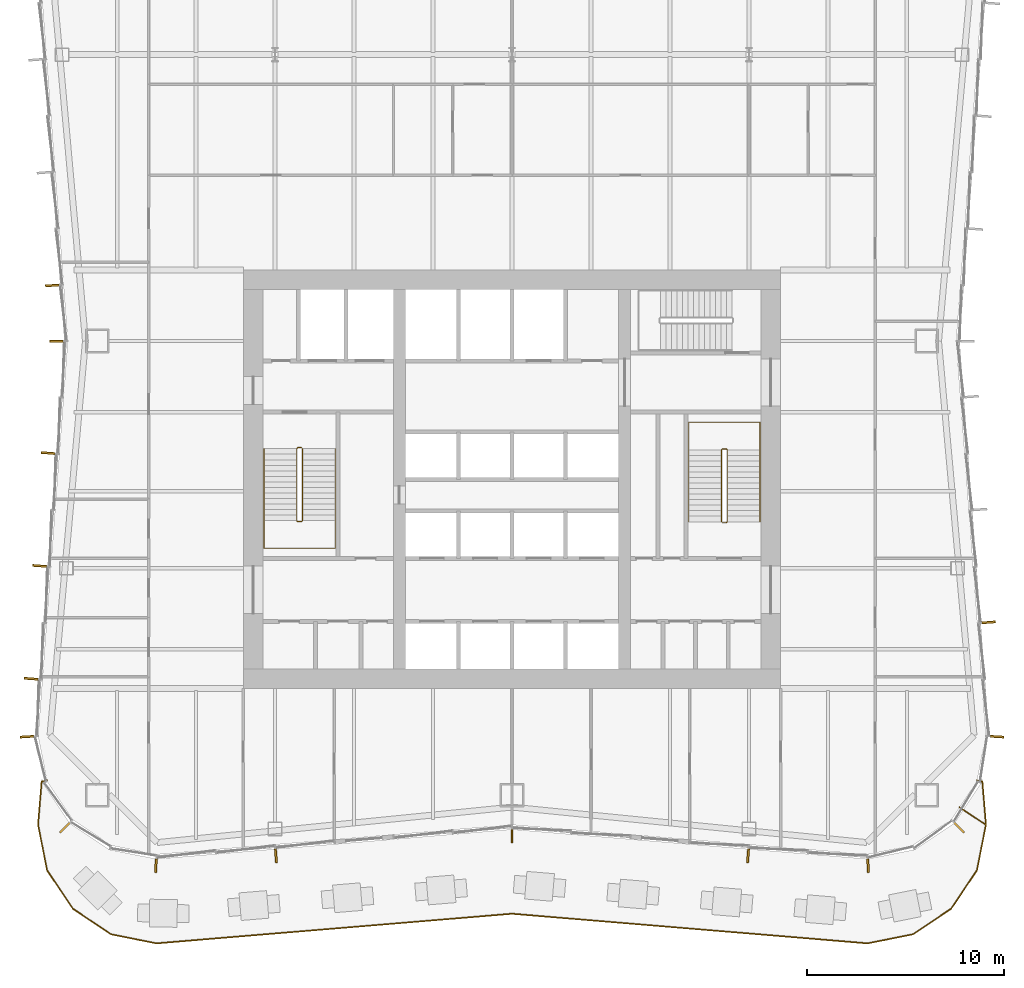
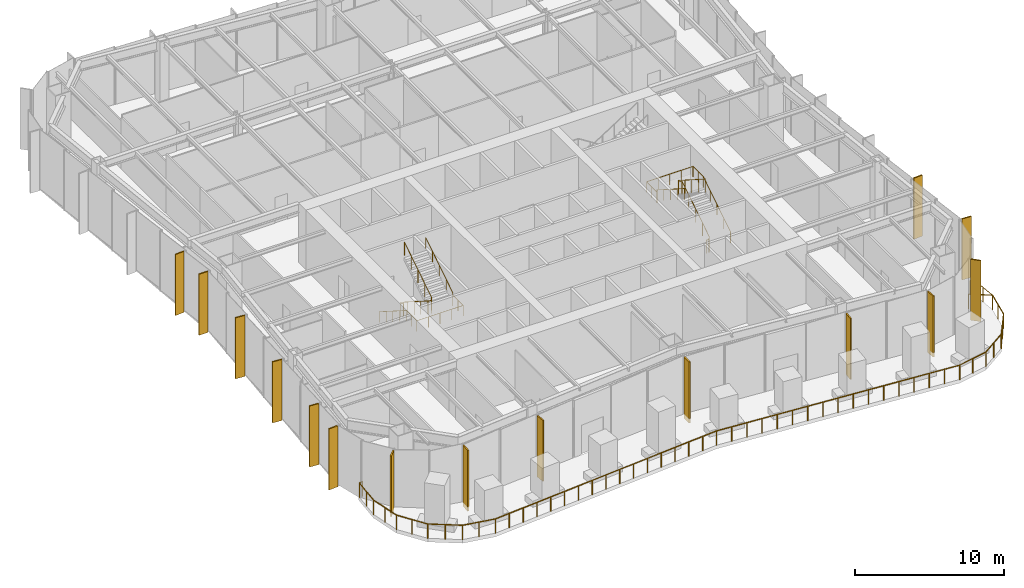
# One storey, part 13 of 15: 15 shading devices, 6 railings.
"""IFC4 building model written with IfcOpenShell, lengths in metres."""

from ifc_helpers import new_model, si_unit, direction, frame, origin, origin_2d, place, context, subcontext, project, spatial, rectangle, circle, extrude, material, layer, layer_set, type_object, element, save


model = new_model("IFC4")

# Units and contexts
model_context = context("Model", 3, precision=1e-05, world=origin(), true_north=direction((0.0, 1.0)))
body_context = subcontext(model_context, "Body", "Model", "MODEL_VIEW")
ifc_project = project(units=[si_unit("LENGTHUNIT", "METRE"), si_unit("AREAUNIT", "SQUARE_METRE"), si_unit("VOLUMEUNIT", "CUBIC_METRE"), si_unit("PLANEANGLEUNIT", "RADIAN"), si_unit("MASSUNIT", "GRAM", prefix="KILO")], contexts=[model_context])

# Site, building, storey
site_placement = place(None, origin())
site = spatial("IfcSite", under=ifc_project, at=site_placement, CompositionType="ELEMENT")
building_placement = place(site_placement, origin())
building = spatial("IfcBuilding", under=site, at=building_placement, Name="Verdant Reach Tower", CompositionType="ELEMENT")
storey_placement = place(building_placement, frame((0.0, 0.0, 121.0)))
storey = spatial("IfcBuildingStorey", under=building, at=storey_placement, Name="L27", CompositionType="ELEMENT", Elevation=121.0)

# Railings
ifc_material_1 = material(Name="Stainless steel", Category="steel")
railing_type_1 = type_object("IfcRailingType", Name="CO-GUARD", PredefinedType="GUARDRAIL", material=ifc_material_1)
railing_1_placement = place(storey_placement, frame((-10.64990234375, 29.60009765625, 0.0)))
element("IfcRailing", 1, at=railing_1_placement, inside=storey, type_object=railing_type_1, Name="L27 ST-1 stair guard 1", PredefinedType="GUARDRAIL", context=body_context, shape_type="SweptSolid", body=[
    extrude(circle(Radius=0.02392578125, at=origin_2d()), frame((0.0, 0.0, 1.076171875), z_axis=(-1.0, 0.0, 0.0), x_axis=(0.0, -1.0, 0.0)), (0.0, 0.0, 1.0), 0.2001953125),
    extrude(circle(Radius=0.02392578125, at=origin_2d()), frame((-0.2001953125, 0.0, 1.076171875), z_axis=(-0.25949872427, -0.26077077684, 0.929870428634), x_axis=(0.708833529934, -0.705375805398, 0.0)), (0.0, 0.0, 1.0), 0.19189453125),
    extrude(circle(Radius=0.02392578125, at=origin_2d()), frame((-0.25, -0.050048828125, 1.25439453125), z_axis=(0.0, -0.843127859045, 0.537713132908), x_axis=(1.0, 0.0, 0.0)), (0.0, 0.0, 1.0), 4.3173828125),
    extrude(circle(Radius=0.02392578125, at=origin_2d()), frame((-0.25, -3.690185546875, 3.576171875), z_axis=(0.707106781187, -0.707106781187, 0.0), x_axis=(0.707106781187, 0.707106781187, 0.0)), (0.0, 0.0, 1.0), 0.0703125),
    extrude(circle(Radius=0.02392578125, at=origin_2d()), frame((-0.2001953125, -3.739990234375, 3.576171875), z_axis=(1.0, 0.0, 0.0), x_axis=(0.0, 1.0, 0.0)), (0.0, 0.0, 1.0), 0.2001953125),
    extrude(circle(Radius=0.02392578125, at=origin_2d()), frame((0.0, -3.739990234375, 3.576171875), z_axis=(0.259584636361, 0.259584636361, 0.930178280294), x_axis=(-0.707106781187, 0.707106781187, 0.0)), (0.0, 0.0, 1.0), 0.19189453125),
    extrude(circle(Radius=0.02392578125, at=origin_2d()), frame((0.0498046875, -3.690185546875, 3.75439453125), z_axis=(0.0, 0.843127859045, 0.537713132908), x_axis=(-1.0, 0.0, 0.0)), (0.0, 0.0, 1.0), 4.3173828125),
    extrude(circle(Radius=0.02099609375, at=origin_2d()), origin(), (0.0, 0.0, 1.0), 1.052001953125),
    extrude(circle(Radius=0.02099609375, at=origin_2d()), frame((-0.2001953125, 0.0, 0.0)), (0.0, 0.0, 1.0), 1.052001953125),
    extrude(circle(Radius=0.02099609375, at=origin_2d()), frame((-0.25, -0.050048828125, 0.178466796875)), (0.0, 0.0, 1.0), 1.052001953125),
    extrude(circle(Radius=0.02099609375, at=origin_2d()), frame((-0.25, -0.9599609375, 0.7587890625)), (0.0, 0.0, 1.0), 1.052001953125),
    extrude(circle(Radius=0.02099609375, at=origin_2d()), frame((-0.25, -1.8701171875, 1.33935546875)), (0.0, 0.0, 1.0), 1.052001953125),
    extrude(circle(Radius=0.02099609375, at=origin_2d()), frame((-0.25, -2.7802734375, 1.919677734375)), (0.0, 0.0, 1.0), 1.052001953125),
    extrude(circle(Radius=0.02099609375, at=origin_2d()), frame((-0.25, -3.690185546875, 2.5)), (0.0, 0.0, 1.0), 1.052001953125),
    extrude(circle(Radius=0.02099609375, at=origin_2d()), frame((-0.2001953125, -3.739990234375, 2.5)), (0.0, 0.0, 1.0), 1.052001953125),
    extrude(circle(Radius=0.02099609375, at=origin_2d()), frame((0.0, -3.739990234375, 2.5)), (0.0, 0.0, 1.0), 1.052001953125),
    extrude(circle(Radius=0.02099609375, at=origin_2d()), frame((0.0498046875, -3.690185546875, 2.678466796875)), (0.0, 0.0, 1.0), 1.052001953125),
    extrude(circle(Radius=0.02099609375, at=origin_2d()), frame((0.0498046875, -2.7802734375, 3.2587890625)), (0.0, 0.0, 1.0), 1.052001953125),
    extrude(circle(Radius=0.02099609375, at=origin_2d()), frame((0.0498046875, -1.8701171875, 3.83935546875)), (0.0, 0.0, 1.0), 1.052001953125),
    extrude(circle(Radius=0.02099609375, at=origin_2d()), frame((0.0498046875, -0.9599609375, 4.419677734375)), (0.0, 0.0, 1.0), 1.052001953125),
    extrude(circle(Radius=0.02099609375, at=origin_2d()), frame((0.0498046875, -0.050048828125, 5.0)), (0.0, 0.0, 1.0), 1.052001953125),
])
railing_2_placement = place(storey_placement, frame((10.64990234375, 25.800048828125, 0.0)))
element("IfcRailing", 2, at=railing_2_placement, inside=storey, type_object=railing_type_1, Name="L27 ST-2 stair guard 1", PredefinedType="GUARDRAIL", context=body_context, shape_type="SweptSolid", body=[
    extrude(circle(Radius=0.02392578125, at=origin_2d()), frame((0.0, 0.0, 1.076171875), z_axis=(1.0, 0.0, 0.0), x_axis=(0.0, 1.0, 0.0)), (0.0, 0.0, 1.0), 0.2001953125),
    extrude(circle(Radius=0.02392578125, at=origin_2d()), frame((0.2001953125, 0.0, 1.076171875), z_axis=(0.25949872427, 0.26077077684, 0.929870428634), x_axis=(-0.708833529934, 0.705375805398, 0.0)), (0.0, 0.0, 1.0), 0.19189453125),
    extrude(circle(Radius=0.02392578125, at=origin_2d()), frame((0.25, 0.050048828125, 1.25439453125), z_axis=(0.0, 0.843111507901, 0.53773877045), x_axis=(-1.0, 0.0, 0.0)), (0.0, 0.0, 1.0), 4.317138671875),
    extrude(circle(Radius=0.02392578125, at=origin_2d()), frame((0.25, 3.68994140625, 3.576171875), z_axis=(-0.705375805398, 0.708833529934, 0.0), x_axis=(-0.708833529934, -0.705375805398, 0.0)), (0.0, 0.0, 1.0), 0.070556640625),
    extrude(circle(Radius=0.02392578125, at=origin_2d()), frame((0.2001953125, 3.739990234375, 3.576171875), z_axis=(-1.0, 0.0, 0.0), x_axis=(0.0, -1.0, 0.0)), (0.0, 0.0, 1.0), 0.2001953125),
    extrude(circle(Radius=0.02392578125, at=origin_2d()), frame((0.0, 3.739990234375, 3.576171875), z_axis=(-0.25949872427, -0.26077077684, 0.929870428634), x_axis=(0.708833529934, -0.705375805398, 0.0)), (0.0, 0.0, 1.0), 0.19189453125),
    extrude(circle(Radius=0.02392578125, at=origin_2d()), frame((-0.0498046875, 3.68994140625, 3.75439453125), z_axis=(0.0, -0.843111507901, 0.53773877045), x_axis=(1.0, 0.0, 0.0)), (0.0, 0.0, 1.0), 4.317138671875),
    extrude(circle(Radius=0.02099609375, at=origin_2d()), origin(), (0.0, 0.0, 1.0), 1.052001953125),
    extrude(circle(Radius=0.02099609375, at=origin_2d()), frame((0.2001953125, 0.0, 0.0)), (0.0, 0.0, 1.0), 1.052001953125),
    extrude(circle(Radius=0.02099609375, at=origin_2d()), frame((0.25, 0.050048828125, 0.178466796875)), (0.0, 0.0, 1.0), 1.052001953125),
    extrude(circle(Radius=0.02099609375, at=origin_2d()), frame((0.25, 0.9599609375, 0.7587890625)), (0.0, 0.0, 1.0), 1.052001953125),
    extrude(circle(Radius=0.02099609375, at=origin_2d()), frame((0.25, 1.8701171875, 1.33935546875)), (0.0, 0.0, 1.0), 1.052001953125),
    extrude(circle(Radius=0.02099609375, at=origin_2d()), frame((0.25, 2.780029296875, 1.919677734375)), (0.0, 0.0, 1.0), 1.052001953125),
    extrude(circle(Radius=0.02099609375, at=origin_2d()), frame((0.25, 3.68994140625, 2.5)), (0.0, 0.0, 1.0), 1.052001953125),
    extrude(circle(Radius=0.02099609375, at=origin_2d()), frame((0.2001953125, 3.739990234375, 2.5)), (0.0, 0.0, 1.0), 1.052001953125),
    extrude(circle(Radius=0.02099609375, at=origin_2d()), frame((0.0, 3.739990234375, 2.5)), (0.0, 0.0, 1.0), 1.052001953125),
    extrude(circle(Radius=0.02099609375, at=origin_2d()), frame((-0.0498046875, 3.68994140625, 2.678466796875)), (0.0, 0.0, 1.0), 1.052001953125),
    extrude(circle(Radius=0.02099609375, at=origin_2d()), frame((-0.0498046875, 2.780029296875, 3.2587890625)), (0.0, 0.0, 1.0), 1.052001953125),
    extrude(circle(Radius=0.02099609375, at=origin_2d()), frame((-0.0498046875, 1.8701171875, 3.83935546875)), (0.0, 0.0, 1.0), 1.052001953125),
    extrude(circle(Radius=0.02099609375, at=origin_2d()), frame((-0.0498046875, 0.9599609375, 4.419677734375)), (0.0, 0.0, 1.0), 1.052001953125),
    extrude(circle(Radius=0.02099609375, at=origin_2d()), frame((-0.0498046875, 0.050048828125, 5.0)), (0.0, 0.0, 1.0), 1.052001953125),
])
railing_type_2 = type_object("IfcRailingType", Name="CO-HANDRAIL", PredefinedType="HANDRAIL", material=ifc_material_1)
railing_3_placement = place(storey_placement, frame((-12.550048828125, 29.550048828125, 0.178466796875)))
element("IfcRailing", 3, at=railing_3_placement, inside=storey, type_object=railing_type_2, Name="L27 ST-1 stair handrail 1", PredefinedType="HANDRAIL", context=body_context, shape_type="SweptSolid", body=[
    extrude(circle(Radius=0.02392578125, at=origin_2d()), frame((0.0, 0.0, 0.8759765625), z_axis=(0.0, -0.843127859045, 0.537713132908), x_axis=(1.0, 0.0, 0.0)), (0.0, 0.0, 1.0), 4.3173828125),
    extrude(circle(Radius=0.02392578125, at=origin_2d()), frame((0.0, -3.64013671875, 3.197265625), z_axis=(0.0, -1.0, 0.0), x_axis=(1.0, 0.0, 0.0)), (0.0, 0.0, 1.0), 1.39990234375),
    extrude(circle(Radius=0.02392578125, at=origin_2d()), frame((0.0, -5.0400390625, 3.197265625), z_axis=(1.0, 0.0, 0.0), x_axis=(0.0, 1.0, 0.0)), (0.0, 0.0, 1.0), 3.60009765625),
    extrude(circle(Radius=0.02392578125, at=origin_2d()), frame((3.60009765625, -5.0400390625, 3.197265625), z_axis=(0.0, 1.0, 0.0), x_axis=(-1.0, 0.0, 0.0)), (0.0, 0.0, 1.0), 1.39990234375),
    extrude(circle(Radius=0.02392578125, at=origin_2d()), frame((3.60009765625, -3.64013671875, 3.197265625), z_axis=(0.0, 0.0, 1.0), x_axis=(1.0, 0.0, 0.0)), (0.0, 0.0, 1.0), 0.178466796875),
    extrude(circle(Radius=0.02392578125, at=origin_2d()), frame((3.60009765625, -3.64013671875, 3.3759765625), z_axis=(0.0, 0.843127859045, 0.537713132908), x_axis=(-1.0, 0.0, 0.0)), (0.0, 0.0, 1.0), 4.3173828125),
    extrude(circle(Radius=0.02099609375, at=origin_2d()), origin(), (0.0, 0.0, 1.0), 0.851806640625),
    extrude(circle(Radius=0.02099609375, at=origin_2d()), frame((0.0, -0.91015625, 0.580322265625)), (0.0, 0.0, 1.0), 0.851806640625),
    extrude(circle(Radius=0.02099609375, at=origin_2d()), frame((0.0, -1.820068359375, 1.16064453125)), (0.0, 0.0, 1.0), 0.851806640625),
    extrude(circle(Radius=0.02099609375, at=origin_2d()), frame((0.0, -2.72998046875, 1.7412109375)), (0.0, 0.0, 1.0), 0.851806640625),
    extrude(circle(Radius=0.02099609375, at=origin_2d()), frame((0.0, -3.64013671875, 2.321533203125)), (0.0, 0.0, 1.0), 0.851806640625),
    extrude(circle(Radius=0.02099609375, at=origin_2d()), frame((0.0, -4.340087890625, 2.321533203125)), (0.0, 0.0, 1.0), 0.851806640625),
    extrude(circle(Radius=0.02099609375, at=origin_2d()), frame((0.0, -5.0400390625, 2.321533203125)), (0.0, 0.0, 1.0), 0.851806640625),
    extrude(circle(Radius=0.02099609375, at=origin_2d()), frame((0.89990234375, -5.0400390625, 2.321533203125)), (0.0, 0.0, 1.0), 0.851806640625),
    extrude(circle(Radius=0.02099609375, at=origin_2d()), frame((1.800048828125, -5.0400390625, 2.321533203125)), (0.0, 0.0, 1.0), 0.851806640625),
    extrude(circle(Radius=0.02099609375, at=origin_2d()), frame((2.7001953125, -5.0400390625, 2.321533203125)), (0.0, 0.0, 1.0), 0.851806640625),
    extrude(circle(Radius=0.02099609375, at=origin_2d()), frame((3.60009765625, -5.0400390625, 2.321533203125)), (0.0, 0.0, 1.0), 0.851806640625),
    extrude(circle(Radius=0.02099609375, at=origin_2d()), frame((3.60009765625, -4.340087890625, 2.321533203125)), (0.0, 0.0, 1.0), 0.851806640625),
    extrude(circle(Radius=0.02099609375, at=origin_2d()), frame((3.60009765625, -3.64013671875, 2.321533203125)), (0.0, 0.0, 1.0), 0.851806640625),
    extrude(circle(Radius=0.02099609375, at=origin_2d()), frame((3.60009765625, -3.64013671875, 2.5)), (0.0, 0.0, 1.0), 0.851806640625),
    extrude(circle(Radius=0.02099609375, at=origin_2d()), frame((3.60009765625, -2.72998046875, 3.080322265625)), (0.0, 0.0, 1.0), 0.851806640625),
    extrude(circle(Radius=0.02099609375, at=origin_2d()), frame((3.60009765625, -1.820068359375, 3.66064453125)), (0.0, 0.0, 1.0), 0.851806640625),
    extrude(circle(Radius=0.02099609375, at=origin_2d()), frame((3.60009765625, -0.91015625, 4.2412109375)), (0.0, 0.0, 1.0), 0.851806640625),
    extrude(circle(Radius=0.02099609375, at=origin_2d()), frame((3.60009765625, 0.0, 4.821533203125)), (0.0, 0.0, 1.0), 0.851806640625),
])
railing_4_placement = place(storey_placement, frame((12.550048828125, 25.85009765625, 0.178466796875)))
element("IfcRailing", 4, at=railing_4_placement, inside=storey, type_object=railing_type_2, Name="L27 ST-2 stair handrail 1", PredefinedType="HANDRAIL", context=body_context, shape_type="SweptSolid", body=[
    extrude(circle(Radius=0.02392578125, at=origin_2d()), frame((0.0, 0.0, 0.8759765625), z_axis=(0.0, 0.843111507901, 0.53773877045), x_axis=(-1.0, 0.0, 0.0)), (0.0, 0.0, 1.0), 4.317138671875),
    extrude(circle(Radius=0.02392578125, at=origin_2d()), frame((0.0, 3.639892578125, 3.197265625), z_axis=(0.0, 1.0, 0.0), x_axis=(-1.0, 0.0, 0.0)), (0.0, 0.0, 1.0), 1.39990234375),
    extrude(circle(Radius=0.02392578125, at=origin_2d()), frame((0.0, 5.039794921875, 3.197265625), z_axis=(-1.0, 0.0, 0.0), x_axis=(0.0, -1.0, 0.0)), (0.0, 0.0, 1.0), 3.60009765625),
    extrude(circle(Radius=0.02392578125, at=origin_2d()), frame((-3.60009765625, 5.039794921875, 3.197265625), z_axis=(0.0, -1.0, 0.0), x_axis=(1.0, 0.0, 0.0)), (0.0, 0.0, 1.0), 1.39990234375),
    extrude(circle(Radius=0.02392578125, at=origin_2d()), frame((-3.60009765625, 3.639892578125, 3.197265625), z_axis=(0.0, 0.0, 1.0), x_axis=(1.0, 0.0, 0.0)), (0.0, 0.0, 1.0), 0.178466796875),
    extrude(circle(Radius=0.02392578125, at=origin_2d()), frame((-3.60009765625, 3.639892578125, 3.3759765625), z_axis=(0.0, -0.843111507901, 0.53773877045), x_axis=(1.0, 0.0, 0.0)), (0.0, 0.0, 1.0), 4.317138671875),
    extrude(circle(Radius=0.02099609375, at=origin_2d()), origin(), (0.0, 0.0, 1.0), 0.851806640625),
    extrude(circle(Radius=0.02099609375, at=origin_2d()), frame((0.0, 0.909912109375, 0.580322265625)), (0.0, 0.0, 1.0), 0.851806640625),
    extrude(circle(Radius=0.02099609375, at=origin_2d()), frame((0.0, 1.81982421875, 1.16064453125)), (0.0, 0.0, 1.0), 0.851806640625),
    extrude(circle(Radius=0.02099609375, at=origin_2d()), frame((0.0, 2.72998046875, 1.7412109375)), (0.0, 0.0, 1.0), 0.851806640625),
    extrude(circle(Radius=0.02099609375, at=origin_2d()), frame((0.0, 3.639892578125, 2.321533203125)), (0.0, 0.0, 1.0), 0.851806640625),
    extrude(circle(Radius=0.02099609375, at=origin_2d()), frame((0.0, 4.33984375, 2.321533203125)), (0.0, 0.0, 1.0), 0.851806640625),
    extrude(circle(Radius=0.02099609375, at=origin_2d()), frame((0.0, 5.039794921875, 2.321533203125)), (0.0, 0.0, 1.0), 0.851806640625),
    extrude(circle(Radius=0.02099609375, at=origin_2d()), frame((-0.89990234375, 5.039794921875, 2.321533203125)), (0.0, 0.0, 1.0), 0.851806640625),
    extrude(circle(Radius=0.02099609375, at=origin_2d()), frame((-1.800048828125, 5.039794921875, 2.321533203125)), (0.0, 0.0, 1.0), 0.851806640625),
    extrude(circle(Radius=0.02099609375, at=origin_2d()), frame((-2.7001953125, 5.039794921875, 2.321533203125)), (0.0, 0.0, 1.0), 0.851806640625),
    extrude(circle(Radius=0.02099609375, at=origin_2d()), frame((-3.60009765625, 5.039794921875, 2.321533203125)), (0.0, 0.0, 1.0), 0.851806640625),
    extrude(circle(Radius=0.02099609375, at=origin_2d()), frame((-3.60009765625, 4.33984375, 2.321533203125)), (0.0, 0.0, 1.0), 0.851806640625),
    extrude(circle(Radius=0.02099609375, at=origin_2d()), frame((-3.60009765625, 3.639892578125, 2.321533203125)), (0.0, 0.0, 1.0), 0.851806640625),
    extrude(circle(Radius=0.02099609375, at=origin_2d()), frame((-3.60009765625, 3.639892578125, 2.5)), (0.0, 0.0, 1.0), 0.851806640625),
    extrude(circle(Radius=0.02099609375, at=origin_2d()), frame((-3.60009765625, 2.72998046875, 3.080322265625)), (0.0, 0.0, 1.0), 0.851806640625),
    extrude(circle(Radius=0.02099609375, at=origin_2d()), frame((-3.60009765625, 1.81982421875, 3.66064453125)), (0.0, 0.0, 1.0), 0.851806640625),
    extrude(circle(Radius=0.02099609375, at=origin_2d()), frame((-3.60009765625, 0.909912109375, 4.2412109375)), (0.0, 0.0, 1.0), 0.851806640625),
    extrude(circle(Radius=0.02099609375, at=origin_2d()), frame((-3.60009765625, 0.0, 4.821533203125)), (0.0, 0.0, 1.0), 0.851806640625),
])

# Shading devices
ifc_material_2 = material(Name="Bronze fin, champagne", Category="aluminium")
ifc_layer_1 = layer(ifc_material_2, 0.10009765625)
ifc_layer_set_1 = layer_set([ifc_layer_1], Name="EN-FIN CHAMPAGNE")
shading_device_type_1 = type_object("IfcShadingDeviceType", Name="EN-FIN CHAMPAGNE", PredefinedType="USERDEFINED", material=ifc_layer_set_1)
for number, where, z_axis, x_axis, name in (
    (5, (24.1318359375, 20.75634765625, -0.35009765625), (0.0, 0.0, 1.0), (-0.074789948245, 0.997199309888, 0.0), "Fin east face part 1 3, L27"),
    (6, (-23.274658203125, 37.815185546875, -0.35009765625), (0.0, 0.0, 1.0), (0.074789948245, -0.997199309888, 0.0), "Fin west face part 1 7, L27"),
    (7, (-23.06201171875, 35.0, -0.35009765625), (0.0, 0.0, 1.0), (0.0, -1.0, 0.0), "Fin west face part 2 1, L27"),
    (8, (-24.56103515625, 14.9658203125, -0.35009765625), (0.0, 0.0, 1.0), (0.060702752526, -0.998155887542, 0.0), "Fin south-west corner 1, L27"),
):
    element("IfcShadingDevice", number, at=place(storey_placement, frame(where, z_axis=z_axis, x_axis=x_axis)), inside=storey, type_object=shading_device_type_1, Name=name, ObjectType="FIN", PredefinedType="USERDEFINED", context=body_context, shape_type="SweptSolid", body=[
        extrude(rectangle(XDim=0.10009765625, YDim=0.699951171875, at=origin_2d()), origin(), (0.0, 0.0, 1.0), 5.0),
    ])
ifc_material_3 = material(Name="Bronze fin, copper", Category="aluminium")
ifc_layer_2 = layer(ifc_material_3, 0.10009765625)
ifc_layer_set_2 = layer_set([ifc_layer_2], Name="EN-FIN COPPER")
shading_device_type_2 = type_object("IfcShadingDeviceType", Name="EN-FIN COPPER", PredefinedType="USERDEFINED", material=ifc_layer_set_2)
for number, where, z_axis, x_axis, name in (
    (9, (18.03173828125, 8.43896484375, -0.35009765625), (0.0, 0.0, 1.0), (0.998398681387, 0.056569187765, 0.0), "Fin south-east corner 1, L27"),
    (10, (-23.489013671875, 29.32763671875, -0.35009765625), (0.0, 0.0, 1.0), (-0.074789948245, -0.997199309888, 0.0), "Fin west face part 2 3, L27"),
    (11, (-23.91748046875, 23.613525390625, -0.35009765625), (0.0, 0.0, 1.0), (-0.074789948245, -0.997199309888, 0.0), "Fin west face part 2 5, L27"),
    (12, (-22.639892578125, 10.360107421875, -0.35009765625), (0.0, 0.0, 1.0), (0.707106781187, -0.707106781187, 0.0), "Fin south-west corner 3, L27"),
    (13, (-18.03173828125, 8.43896484375, -0.35009765625), (0.0, 0.0, 1.0), (0.998398681387, -0.056569187765, 0.0), "Fin south face part 1 1, L27"),
    (14, (0.0, 9.93798828125, -0.35009765625), (0.0, 0.0, 1.0), (1.0, 0.0, 0.0), "Fin south face part 2 1, L27"),
):
    element("IfcShadingDevice", number, at=place(storey_placement, frame(where, z_axis=z_axis, x_axis=x_axis)), inside=storey, type_object=shading_device_type_2, Name=name, ObjectType="FIN", PredefinedType="USERDEFINED", context=body_context, shape_type="SweptSolid", body=[
        extrude(rectangle(XDim=0.10009765625, YDim=0.699951171875, at=origin_2d()), origin(), (0.0, 0.0, 1.0), 5.0),
    ])
ifc_material_4 = material(Name="Bronze fin, dark bronze", Category="aluminium")
ifc_layer_3 = layer(ifc_material_4, 0.10009765625)
ifc_layer_set_3 = layer_set([ifc_layer_3], Name="EN-FIN DARK")
shading_device_type_3 = type_object("IfcShadingDeviceType", Name="EN-FIN DARK", PredefinedType="USERDEFINED", material=ifc_layer_set_3)
for number, where, z_axis, x_axis, name in (
    (15, (22.639892578125, 10.360107421875, -0.35009765625), (0.0, 0.0, 1.0), (0.707106781187, 0.707106781187, 0.0), "Fin south-east corner 3, L27"),
    (16, (24.56103515625, 14.9658203125, -0.35009765625), (0.0, 0.0, 1.0), (0.060702752526, 0.998155887542, 0.0), "Fin east face part 1 1, L27"),
    (17, (-24.34619140625, 17.899169921875, -0.35009765625), (0.0, 0.0, 1.0), (-0.074789948245, -0.997199309888, 0.0), "Fin west face part 2 7, L27"),
    (18, (-11.953369140625, 8.93994140625, -0.35009765625), (0.0, 0.0, 1.0), (0.996545758244, 0.083045479859, 0.0), "Fin south face part 1 3, L27"),
    (19, (11.953369140625, 8.93994140625, -0.35009765625), (0.0, 0.0, 1.0), (0.996545758244, -0.083045479859, 0.0), "Fin south face part 2 5, L27"),
):
    element("IfcShadingDevice", number, at=place(storey_placement, frame(where, z_axis=z_axis, x_axis=x_axis)), inside=storey, type_object=shading_device_type_3, Name=name, ObjectType="FIN", PredefinedType="USERDEFINED", context=body_context, shape_type="SweptSolid", body=[
        extrude(rectangle(XDim=0.10009765625, YDim=0.699951171875, at=origin_2d()), origin(), (0.0, 0.0, 1.0), 5.0),
    ])

# Railings
ifc_material_5 = material(Name="Stainless steel and laminated glass balustrade", Category="steel")
railing_type_3 = type_object("IfcRailingType", Name="EN-RAILING TERRACE", PredefinedType="GUARDRAIL", material=ifc_material_5)
railing_5_placement = place(storey_placement, frame((22.666259765625, 11.391357421875, 0.0)))
element("IfcRailing", 20, at=railing_5_placement, inside=storey, type_object=railing_type_3, Name="Terrace guard 1, L27", PredefinedType="GUARDRAIL", context=body_context, shape_type="SweptSolid", body=[
    extrude(circle(Radius=0.02490234375, at=origin_2d()), frame((0.0, 0.0, 1.1748046875), z_axis=(0.831417577393, -0.555648100872, 0.0), x_axis=(0.555648100872, 0.831417577393, 0.0)), (0.0, 0.0, 1.0), 1.604248046875),
    extrude(circle(Radius=0.02490234375, at=origin_2d()), frame((1.333740234375, -0.891357421875, 1.1748046875), z_axis=(-0.195113312377, -0.980780707056, 0.0), x_axis=(0.980780707056, -0.195113312377, 0.0)), (0.0, 0.0, 1.0), 2.341064453125),
    extrude(circle(Radius=0.02490234375, at=origin_2d()), frame((0.876953125, -3.1875, 1.1748046875), z_axis=(-0.55554223823, -0.831488317141, 0.0), x_axis=(0.831488317141, -0.55554223823, 0.0)), (0.0, 0.0, 1.0), 2.341064453125),
    extrude(circle(Radius=0.02490234375, at=origin_2d()), frame((-0.423583984375, -5.134033203125, 1.1748046875), z_axis=(-0.831488317141, -0.55554223823, 0.0), x_axis=(0.55554223823, -0.831488317141, 0.0)), (0.0, 0.0, 1.0), 2.341064453125),
    extrude(circle(Radius=0.02490234375, at=origin_2d()), frame((-2.3701171875, -6.4345703125, 1.1748046875), z_axis=(-0.980780707056, -0.195113312377, 0.0), x_axis=(0.195113312377, -0.980780707056, 0.0)), (0.0, 0.0, 1.0), 2.341064453125),
    extrude(circle(Radius=0.02490234375, at=origin_2d()), frame((-4.666259765625, -6.891357421875, 1.1748046875), z_axis=(-0.996545758245, 0.083045479854, 0.0), x_axis=(-0.083045479854, -0.996545758245, 0.0)), (0.0, 0.0, 1.0), 18.0625),
    extrude(circle(Radius=0.02490234375, at=origin_2d()), frame((-22.666259765625, -5.391357421875, 1.1748046875), z_axis=(-0.996545758245, -0.083045479854, 0.0), x_axis=(0.083045479854, -0.996545758245, 0.0)), (0.0, 0.0, 1.0), 18.0625),
    extrude(circle(Radius=0.02490234375, at=origin_2d()), frame((-40.666259765625, -6.891357421875, 1.1748046875), z_axis=(-0.980780707056, 0.195113312377, 0.0), x_axis=(-0.195113312377, -0.980780707056, 0.0)), (0.0, 0.0, 1.0), 2.341064453125),
    extrude(circle(Radius=0.02490234375, at=origin_2d()), frame((-42.96240234375, -6.4345703125, 1.1748046875), z_axis=(-0.831488317141, 0.55554223823, 0.0), x_axis=(-0.55554223823, -0.831488317141, 0.0)), (0.0, 0.0, 1.0), 2.341064453125),
    extrude(circle(Radius=0.02490234375, at=origin_2d()), frame((-44.908935546875, -5.134033203125, 1.1748046875), z_axis=(-0.55554223823, 0.831488317141, 0.0), x_axis=(-0.831488317141, -0.55554223823, 0.0)), (0.0, 0.0, 1.0), 2.341064453125),
    extrude(circle(Radius=0.02490234375, at=origin_2d()), frame((-46.20947265625, -3.1875, 1.1748046875), z_axis=(-0.195113312377, 0.980780707056, 0.0), x_axis=(-0.980780707056, -0.195113312377, 0.0)), (0.0, 0.0, 1.0), 2.341064453125),
    extrude(circle(Radius=0.02490234375, at=origin_2d()), frame((-46.666259765625, -0.891357421875, 1.1748046875), z_axis=(0.081936649191, 0.99663753969, 0.0), x_axis=(-0.99663753969, 0.081936649191, 0.0)), (0.0, 0.0, 1.0), 2.204833984375),
    extrude(circle(Radius=0.02490234375, at=origin_2d()), frame((-46.485595703125, 1.30615234375, 1.1748046875), z_axis=(0.980684066834, 0.195598468957, 0.0), x_axis=(-0.195598468957, 0.980684066834, 0.0)), (0.0, 0.0, 1.0), 0.272216796875),
    extrude(circle(Radius=0.02490234375, at=origin_2d()), origin(), (0.0, 0.0, 1.0), 1.14990234375),
    extrude(circle(Radius=0.02490234375, at=origin_2d()), frame((0.6669921875, -0.44580078125, 0.0)), (0.0, 0.0, 1.0), 1.14990234375),
    extrude(circle(Radius=0.02490234375, at=origin_2d()), frame((1.333740234375, -0.891357421875, 0.0)), (0.0, 0.0, 1.0), 1.14990234375),
    extrude(circle(Radius=0.02490234375, at=origin_2d()), frame((1.10546875, -2.03955078125, 0.0)), (0.0, 0.0, 1.0), 1.14990234375),
    extrude(circle(Radius=0.02490234375, at=origin_2d()), frame((0.876953125, -3.1875, 0.0)), (0.0, 0.0, 1.0), 1.14990234375),
    extrude(circle(Radius=0.02490234375, at=origin_2d()), frame((0.2265625, -4.16064453125, 0.0)), (0.0, 0.0, 1.0), 1.14990234375),
    extrude(circle(Radius=0.02490234375, at=origin_2d()), frame((-0.423583984375, -5.134033203125, 0.0)), (0.0, 0.0, 1.0), 1.14990234375),
    extrude(circle(Radius=0.02490234375, at=origin_2d()), frame((-1.39697265625, -5.7841796875, 0.0)), (0.0, 0.0, 1.0), 1.14990234375),
    extrude(circle(Radius=0.02490234375, at=origin_2d()), frame((-2.3701171875, -6.4345703125, 0.0)), (0.0, 0.0, 1.0), 1.14990234375),
    extrude(circle(Radius=0.02490234375, at=origin_2d()), frame((-3.51806640625, -6.6630859375, 0.0)), (0.0, 0.0, 1.0), 1.14990234375),
    extrude(circle(Radius=0.02490234375, at=origin_2d()), frame((-4.666259765625, -6.891357421875, 0.0)), (0.0, 0.0, 1.0), 1.14990234375),
    extrude(circle(Radius=0.02490234375, at=origin_2d()), frame((-5.791259765625, -6.797607421875, 0.0)), (0.0, 0.0, 1.0), 1.14990234375),
    extrude(circle(Radius=0.02490234375, at=origin_2d()), frame((-6.916259765625, -6.703857421875, 0.0)), (0.0, 0.0, 1.0), 1.14990234375),
    extrude(circle(Radius=0.02490234375, at=origin_2d()), frame((-8.041259765625, -6.610107421875, 0.0)), (0.0, 0.0, 1.0), 1.14990234375),
    extrude(circle(Radius=0.02490234375, at=origin_2d()), frame((-9.166259765625, -6.516357421875, 0.0)), (0.0, 0.0, 1.0), 1.14990234375),
    extrude(circle(Radius=0.02490234375, at=origin_2d()), frame((-10.291259765625, -6.422607421875, 0.0)), (0.0, 0.0, 1.0), 1.14990234375),
    extrude(circle(Radius=0.02490234375, at=origin_2d()), frame((-11.416259765625, -6.328857421875, 0.0)), (0.0, 0.0, 1.0), 1.14990234375),
    extrude(circle(Radius=0.02490234375, at=origin_2d()), frame((-12.541259765625, -6.235107421875, 0.0)), (0.0, 0.0, 1.0), 1.14990234375),
    extrude(circle(Radius=0.02490234375, at=origin_2d()), frame((-13.666259765625, -6.141357421875, 0.0)), (0.0, 0.0, 1.0), 1.14990234375),
    extrude(circle(Radius=0.02490234375, at=origin_2d()), frame((-14.791259765625, -6.047607421875, 0.0)), (0.0, 0.0, 1.0), 1.14990234375),
    extrude(circle(Radius=0.02490234375, at=origin_2d()), frame((-15.916259765625, -5.953857421875, 0.0)), (0.0, 0.0, 1.0), 1.14990234375),
    extrude(circle(Radius=0.02490234375, at=origin_2d()), frame((-17.041259765625, -5.860107421875, 0.0)), (0.0, 0.0, 1.0), 1.14990234375),
    extrude(circle(Radius=0.02490234375, at=origin_2d()), frame((-18.166259765625, -5.766357421875, 0.0)), (0.0, 0.0, 1.0), 1.14990234375),
    extrude(circle(Radius=0.02490234375, at=origin_2d()), frame((-19.291259765625, -5.672607421875, 0.0)), (0.0, 0.0, 1.0), 1.14990234375),
    extrude(circle(Radius=0.02490234375, at=origin_2d()), frame((-20.416259765625, -5.578857421875, 0.0)), (0.0, 0.0, 1.0), 1.14990234375),
    extrude(circle(Radius=0.02490234375, at=origin_2d()), frame((-21.541259765625, -5.485107421875, 0.0)), (0.0, 0.0, 1.0), 1.14990234375),
    extrude(circle(Radius=0.02490234375, at=origin_2d()), frame((-22.666259765625, -5.391357421875, 0.0)), (0.0, 0.0, 1.0), 1.14990234375),
    extrude(circle(Radius=0.02490234375, at=origin_2d()), frame((-23.791259765625, -5.485107421875, 0.0)), (0.0, 0.0, 1.0), 1.14990234375),
    extrude(circle(Radius=0.02490234375, at=origin_2d()), frame((-24.916259765625, -5.578857421875, 0.0)), (0.0, 0.0, 1.0), 1.14990234375),
    extrude(circle(Radius=0.02490234375, at=origin_2d()), frame((-26.041259765625, -5.672607421875, 0.0)), (0.0, 0.0, 1.0), 1.14990234375),
    extrude(circle(Radius=0.02490234375, at=origin_2d()), frame((-27.166259765625, -5.766357421875, 0.0)), (0.0, 0.0, 1.0), 1.14990234375),
    extrude(circle(Radius=0.02490234375, at=origin_2d()), frame((-28.291259765625, -5.860107421875, 0.0)), (0.0, 0.0, 1.0), 1.14990234375),
    extrude(circle(Radius=0.02490234375, at=origin_2d()), frame((-29.416259765625, -5.953857421875, 0.0)), (0.0, 0.0, 1.0), 1.14990234375),
    extrude(circle(Radius=0.02490234375, at=origin_2d()), frame((-30.541259765625, -6.047607421875, 0.0)), (0.0, 0.0, 1.0), 1.14990234375),
    extrude(circle(Radius=0.02490234375, at=origin_2d()), frame((-31.666259765625, -6.141357421875, 0.0)), (0.0, 0.0, 1.0), 1.14990234375),
    extrude(circle(Radius=0.02490234375, at=origin_2d()), frame((-32.791259765625, -6.235107421875, 0.0)), (0.0, 0.0, 1.0), 1.14990234375),
    extrude(circle(Radius=0.02490234375, at=origin_2d()), frame((-33.916259765625, -6.328857421875, 0.0)), (0.0, 0.0, 1.0), 1.14990234375),
    extrude(circle(Radius=0.02490234375, at=origin_2d()), frame((-35.041259765625, -6.422607421875, 0.0)), (0.0, 0.0, 1.0), 1.14990234375),
    extrude(circle(Radius=0.02490234375, at=origin_2d()), frame((-36.166259765625, -6.516357421875, 0.0)), (0.0, 0.0, 1.0), 1.14990234375),
    extrude(circle(Radius=0.02490234375, at=origin_2d()), frame((-37.291259765625, -6.610107421875, 0.0)), (0.0, 0.0, 1.0), 1.14990234375),
    extrude(circle(Radius=0.02490234375, at=origin_2d()), frame((-38.416259765625, -6.703857421875, 0.0)), (0.0, 0.0, 1.0), 1.14990234375),
    extrude(circle(Radius=0.02490234375, at=origin_2d()), frame((-39.541259765625, -6.797607421875, 0.0)), (0.0, 0.0, 1.0), 1.14990234375),
    extrude(circle(Radius=0.02490234375, at=origin_2d()), frame((-40.666259765625, -6.891357421875, 0.0)), (0.0, 0.0, 1.0), 1.14990234375),
    extrude(circle(Radius=0.02490234375, at=origin_2d()), frame((-41.814453125, -6.6630859375, 0.0)), (0.0, 0.0, 1.0), 1.14990234375),
    extrude(circle(Radius=0.02490234375, at=origin_2d()), frame((-42.96240234375, -6.4345703125, 0.0)), (0.0, 0.0, 1.0), 1.14990234375),
    extrude(circle(Radius=0.02490234375, at=origin_2d()), frame((-43.935546875, -5.7841796875, 0.0)), (0.0, 0.0, 1.0), 1.14990234375),
    extrude(circle(Radius=0.02490234375, at=origin_2d()), frame((-44.908935546875, -5.134033203125, 0.0)), (0.0, 0.0, 1.0), 1.14990234375),
    extrude(circle(Radius=0.02490234375, at=origin_2d()), frame((-45.55908203125, -4.16064453125, 0.0)), (0.0, 0.0, 1.0), 1.14990234375),
    extrude(circle(Radius=0.02490234375, at=origin_2d()), frame((-46.20947265625, -3.1875, 0.0)), (0.0, 0.0, 1.0), 1.14990234375),
    extrude(circle(Radius=0.02490234375, at=origin_2d()), frame((-46.43798828125, -2.03955078125, 0.0)), (0.0, 0.0, 1.0), 1.14990234375),
    extrude(circle(Radius=0.02490234375, at=origin_2d()), frame((-46.666259765625, -0.891357421875, 0.0)), (0.0, 0.0, 1.0), 1.14990234375),
    extrude(circle(Radius=0.02490234375, at=origin_2d()), frame((-46.575927734375, 0.20751953125, 0.0)), (0.0, 0.0, 1.0), 1.14990234375),
    extrude(circle(Radius=0.02490234375, at=origin_2d()), frame((-46.485595703125, 1.30615234375, 0.0)), (0.0, 0.0, 1.0), 1.14990234375),
    extrude(circle(Radius=0.02490234375, at=origin_2d()), frame((-46.21875, 1.359375, 0.0)), (0.0, 0.0, 1.0), 1.14990234375),
])
railing_6_placement = place(storey_placement, frame((23.552490234375, 12.750732421875, 0.0)))
element("IfcRailing", 21, at=railing_6_placement, inside=storey, type_object=railing_type_3, Name="Terrace guard 2, L27", PredefinedType="GUARDRAIL", context=body_context, shape_type="SweptSolid", body=[
    extrude(circle(Radius=0.02490234375, at=origin_2d()), frame((0.0, 0.0, 1.1748046875), z_axis=(0.980684066834, -0.195598468957, 0.0), x_axis=(0.195598468957, 0.980684066834, 0.0)), (0.0, 0.0, 1.0), 0.272216796875),
    extrude(circle(Radius=0.02490234375, at=origin_2d()), frame((0.266845703125, -0.05322265625, 1.1748046875), z_axis=(0.081936649191, -0.99663753969, 0.0), x_axis=(0.99663753969, 0.081936649191, 0.0)), (0.0, 0.0, 1.0), 2.204833984375),
    extrude(circle(Radius=0.02490234375, at=origin_2d()), frame((0.447509765625, -2.250732421875, 1.1748046875), z_axis=(-0.831417577393, 0.555648100872, 0.0), x_axis=(-0.555648100872, -0.831417577393, 0.0)), (0.0, 0.0, 1.0), 1.604248046875),
    extrude(circle(Radius=0.02490234375, at=origin_2d()), origin(), (0.0, 0.0, 1.0), 1.14990234375),
    extrude(circle(Radius=0.02490234375, at=origin_2d()), frame((0.266845703125, -0.05322265625, 0.0)), (0.0, 0.0, 1.0), 1.14990234375),
    extrude(circle(Radius=0.02490234375, at=origin_2d()), frame((0.357177734375, -1.15185546875, 0.0)), (0.0, 0.0, 1.0), 1.14990234375),
    extrude(circle(Radius=0.02490234375, at=origin_2d()), frame((0.447509765625, -2.250732421875, 0.0)), (0.0, 0.0, 1.0), 1.14990234375),
    extrude(circle(Radius=0.02490234375, at=origin_2d()), frame((-0.21923828125, -1.80517578125, 0.0)), (0.0, 0.0, 1.0), 1.14990234375),
    extrude(circle(Radius=0.02490234375, at=origin_2d()), frame((-0.88623046875, -1.359375, 0.0)), (0.0, 0.0, 1.0), 1.14990234375),
])

save(model, "model.ifc")
